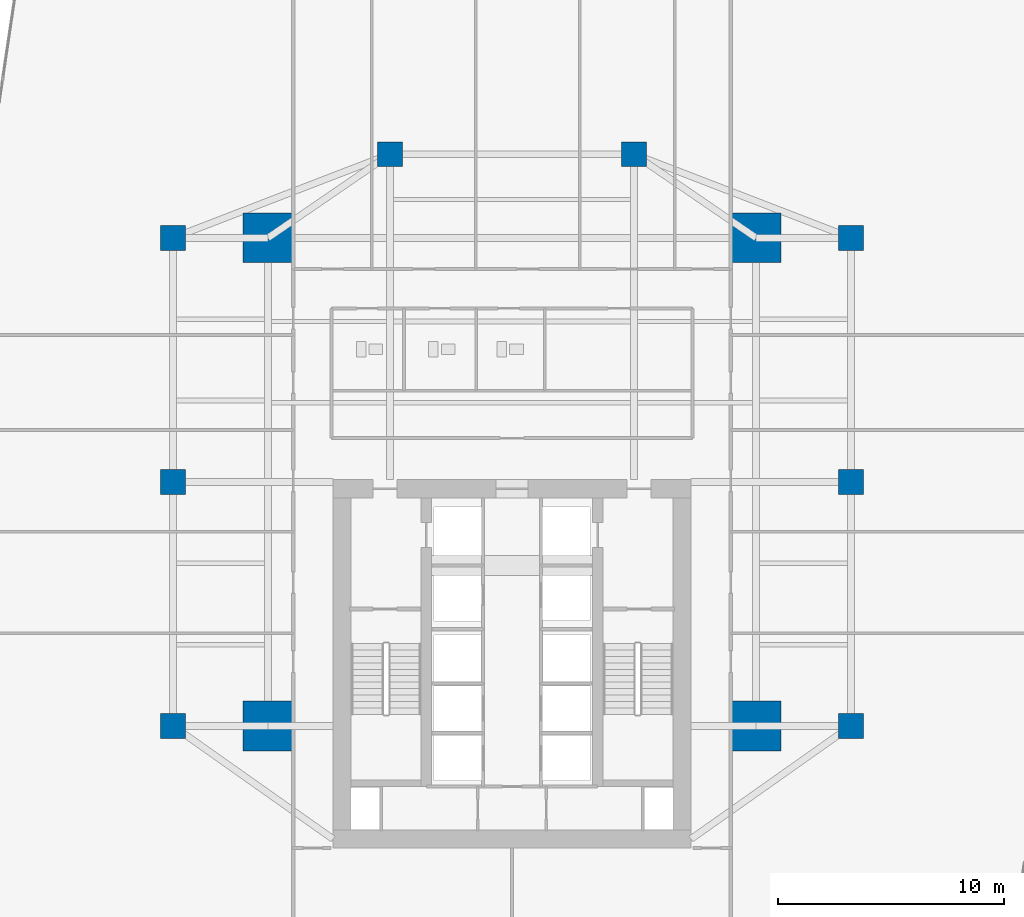
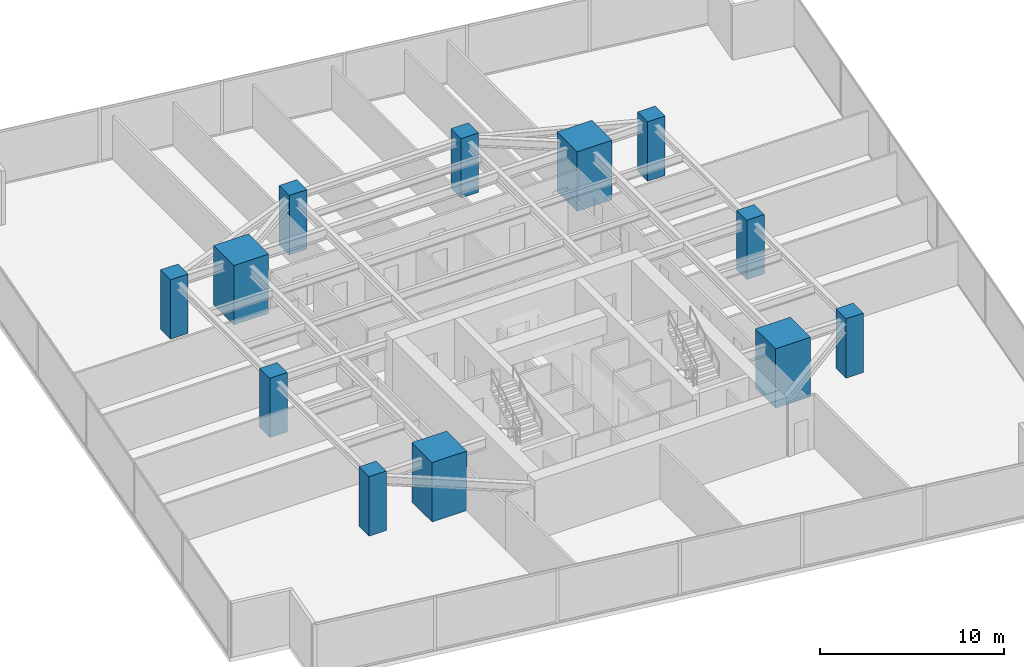
# One storey, part 1 of 29: 12 columns.
"""IFC4 building model written with IfcOpenShell, lengths in metres."""

from ifc_helpers import new_model, si_unit, direction, frame, origin, origin_2d, place, context, subcontext, project, spatial, rectangle, extrude, source, transform, mapped, material, material_profile, profile_set, type_object, type_shapes, element, save


model = new_model("IFC4")

# Units and contexts
model_context = context("Model", 3, precision=1e-05, world=origin(), true_north=direction((0.0, 1.0)))
body_context = subcontext(model_context, "Body", "Model", "MODEL_VIEW")
ifc_project = project(units=[si_unit("LENGTHUNIT", "METRE"), si_unit("AREAUNIT", "SQUARE_METRE"), si_unit("VOLUMEUNIT", "CUBIC_METRE"), si_unit("PLANEANGLEUNIT", "RADIAN"), si_unit("MASSUNIT", "GRAM", prefix="KILO")], contexts=[model_context])

# Site, building, storey
site_placement = place(None, origin())
site = spatial("IfcSite", under=ifc_project, at=site_placement, CompositionType="ELEMENT")
building_placement = place(site_placement, origin())
building = spatial("IfcBuilding", under=site, at=building_placement, Name="Krantzveldt Concourse Tower", CompositionType="ELEMENT")
storey_placement = place(building_placement, frame((0.0, 0.0, 76.35009765625)))
storey = spatial("IfcBuildingStorey", under=building, at=storey_placement, Name="L18", CompositionType="ELEMENT", Elevation=76.35009765625)

# Columns
ifc_material = material(Name="Concrete C60/75", Category="concrete")
ifc_material_profile_1 = material_profile(ifc_material, rectangle(XDim=2.199951171875, YDim=2.199951171875, at=origin_2d()), Name="Concrete C60/75", Category="concrete")
ifc_profile_set_1 = profile_set([ifc_material_profile_1], Name="Concrete C60/75 - RC 2200x2200")
column_type_1 = type_object("IfcColumnType", Name="COL-MC-2200", PredefinedType="USERDEFINED", material=ifc_profile_set_1)
shared_shape_1 = source(origin(), body_context, "Body", "SweptSolid", [
    extrude(rectangle(XDim=2.199951171875, YDim=2.199951171875, at=origin_2d()), origin(), (0.0, 0.0, 1.0), 3.949951171875),
])
type_shapes(column_type_1, [shared_shape_1])
for number, where, z_axis, x_axis, name in (
    (1, (25.199951171875, 15.89990234375, 0.0), (0.0, 0.0, 1.0), (1.0, 0.0, 0.0), "MC-SW-L18"),
    (2, (46.800048828125, 15.89990234375, 0.0), (0.0, 0.0, 1.0), (1.0, 0.0, 0.0), "MC-SE-L18"),
    (3, (46.800048828125, 37.5, 0.0), (0.0, 0.0, 1.0), (1.0, 0.0, 0.0), "MC-NE-L18"),
    (4, (25.199951171875, 37.5, 0.0), (0.0, 0.0, 1.0), (1.0, 0.0, 0.0), "MC-NW-L18"),
):
    element("IfcColumn", number, at=place(storey_placement, frame(where, z_axis=z_axis, x_axis=x_axis)), inside=storey, type_object=column_type_1, Name=name, ObjectType="MEGA COLUMN", PredefinedType="USERDEFINED", context=body_context, shape_type="MappedRepresentation", body=[
        mapped(shared_shape_1, transform((0.0, 0.0, 0.0), x_axis=(1.0, 0.0, 0.0), y_axis=(0.0, 1.0, 0.0), z_axis=(0.0, 0.0, 1.0), scale=1.0)),
    ])
ifc_material_profile_2 = material_profile(ifc_material, rectangle(XDim=1.10009765625, YDim=1.10009765625, at=origin_2d()), Name="Concrete C60/75", Category="concrete")
ifc_profile_set_2 = profile_set([ifc_material_profile_2], Name="Concrete C60/75 - RC 1100x1100")
column_type_2 = type_object("IfcColumnType", Name="COL-C-Z1", PredefinedType="COLUMN", material=ifc_profile_set_2)
shared_shape_2 = source(origin(), body_context, "Body", "SweptSolid", [
    extrude(rectangle(XDim=1.10009765625, YDim=1.10009765625, at=origin_2d()), origin(), (0.0, 0.0, 1.0), 3.949951171875),
])
type_shapes(column_type_2, [shared_shape_2])
for number, where, z_axis, x_axis, name in (
    (5, (21.0, 15.89990234375, 0.0), (0.0, 0.0, 1.0), (1.0, 0.0, 0.0), "PC-R01-L18"),
    (6, (21.0, 26.699951171875, 0.0), (0.0, 0.0, 1.0), (1.0, 0.0, 0.0), "PC-R02-L18"),
    (7, (21.0, 37.5, 0.0), (0.0, 0.0, 1.0), (1.0, 0.0, 0.0), "PC-R03-L18"),
    (8, (30.60009765625, 41.199951171875, 0.0), (0.0, 0.0, 1.0), (1.0, 0.0, 0.0), "PC-R04-L18"),
    (9, (41.39990234375, 41.199951171875, 0.0), (0.0, 0.0, 1.0), (1.0, 0.0, 0.0), "PC-R05-L18"),
    (10, (51.0, 37.5, 0.0), (0.0, 0.0, 1.0), (1.0, 0.0, 0.0), "PC-R06-L18"),
    (11, (51.0, 26.699951171875, 0.0), (0.0, 0.0, 1.0), (1.0, 0.0, 0.0), "PC-R07-L18"),
    (12, (51.0, 15.89990234375, 0.0), (0.0, 0.0, 1.0), (1.0, 0.0, 0.0), "PC-R08-L18"),
):
    element("IfcColumn", number, at=place(storey_placement, frame(where, z_axis=z_axis, x_axis=x_axis)), inside=storey, type_object=column_type_2, Name=name, PredefinedType="COLUMN", context=body_context, shape_type="MappedRepresentation", body=[
        mapped(shared_shape_2, transform((0.0, 0.0, 0.0), x_axis=(1.0, 0.0, 0.0), y_axis=(0.0, 1.0, 0.0), z_axis=(0.0, 0.0, 1.0), scale=1.0)),
    ])

save(model, "model.ifc")
